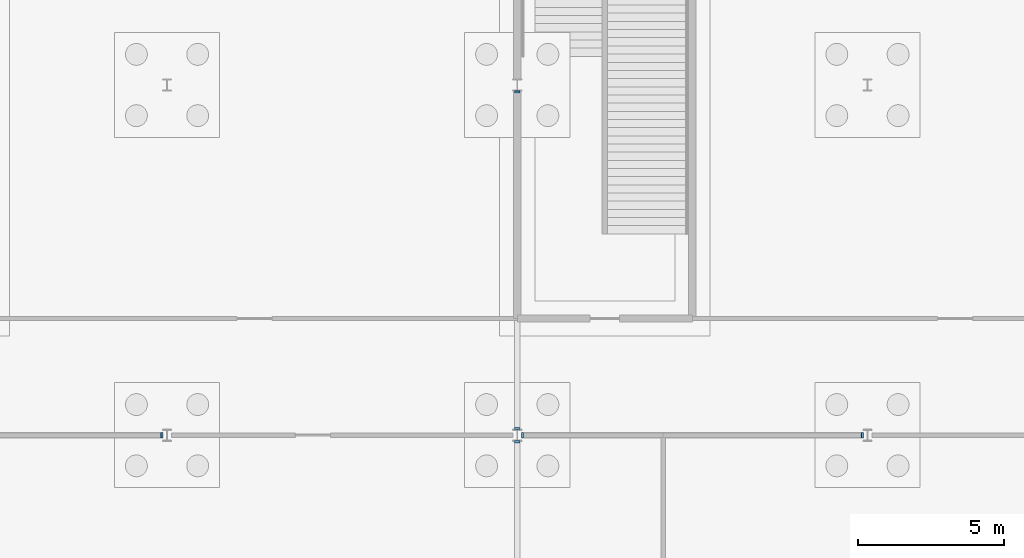
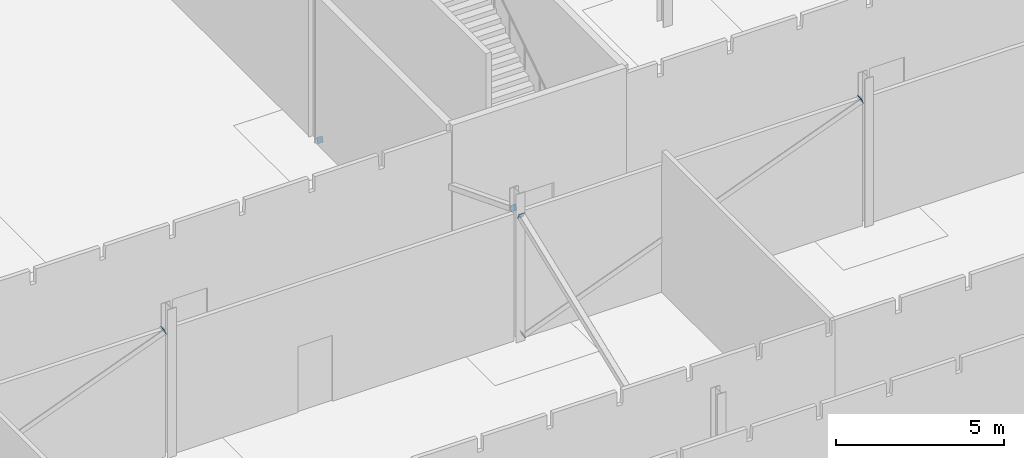
# One storey, part 100 of 132: 6 discrete accessories.
"""IFC4 building model written with IfcOpenShell, lengths in metres."""

from ifc_helpers import new_model, si_unit, direction, frame, origin, origin_2d, place, context, subcontext, project, spatial, rectangle, extrude, material, material_profile, profile_set, type_object, element, save


model = new_model("IFC4")

# Units and contexts
model_context = context("Model", 3, precision=1e-05, world=origin(), true_north=direction((0.0, 1.0)))
body_context = subcontext(model_context, "Body", "Model", "MODEL_VIEW")
ifc_project = project(units=[si_unit("LENGTHUNIT", "METRE"), si_unit("AREAUNIT", "SQUARE_METRE"), si_unit("VOLUMEUNIT", "CUBIC_METRE"), si_unit("PLANEANGLEUNIT", "RADIAN"), si_unit("MASSUNIT", "GRAM", prefix="KILO")], contexts=[model_context])

# Site, building, storey
site_placement = place(None, origin())
site = spatial("IfcSite", under=ifc_project, at=site_placement, CompositionType="ELEMENT")
building_placement = place(site_placement, origin())
building = spatial("IfcBuilding", under=site, at=building_placement, Name="Ravi Spectrum Wholesale Market", CompositionType="ELEMENT")
storey_placement = place(building_placement, origin())
storey = spatial("IfcBuildingStorey", under=building, at=storey_placement, Name="L00", CompositionType="ELEMENT", Elevation=0.0)

# Discrete accessories
ifc_material = material(Name="Steel S355", Category="steel")
ifc_material_profile = material_profile(ifc_material, rectangle(XDim=0.199951171875, YDim=0.199951171875, at=origin_2d()))
ifc_profile_set = profile_set([ifc_material_profile], Name="Steel S355")
discrete_accessory_type = type_object("IfcDiscreteAccessoryType", Name="End plate SHS 200x200x8", PredefinedType="BRACKET", material=ifc_profile_set)
for number, where, z_axis, x_axis, name in (
    (1, (233.814208984375, 42.0, 4.556640625), (0.931242779706, 0.0, 0.364399348581), (0.0, 1.0, 0.0), "End plate"),
    (2, (246.185791015625, 42.0, 0.09326171875), (-0.937994498829, 0.0, -0.346650140872), (0.0, -1.0, 0.0), "End plate"),
    (3, (257.814208984375, 42.0, 4.556640625), (0.931242779706, 0.0, 0.364399348581), (0.0, 1.0, 0.0), "End plate"),
    (4, (246.0, 41.763427734375, 4.60693359375), (0.0, 0.931242779706, 0.364399348581), (-1.0, 0.0, 0.0), "End plate"),
    (5, (246.0, 42.236572265625, 4.60693359375), (0.0, -0.931242779706, 0.364399348581), (1.0, 0.0, 0.0), "End plate"),
    (6, (246.0, 53.763427734375, 0.093017578125), (0.0, 0.931242779706, -0.364399348581), (-1.0, 0.0, 0.0), "End plate"),
):
    element("IfcDiscreteAccessory", number, at=place(storey_placement, frame(where, z_axis=z_axis, x_axis=x_axis)), inside=storey, type_object=discrete_accessory_type, Name=name, PredefinedType="BRACKET", context=body_context, shape_type="SweptSolid", body=[
        extrude(rectangle(XDim=0.199951171875, YDim=0.199951171875, at=origin_2d()), origin(), (0.0, 0.0, 1.0), 0.011962890625),
    ])

save(model, "model.ifc")
